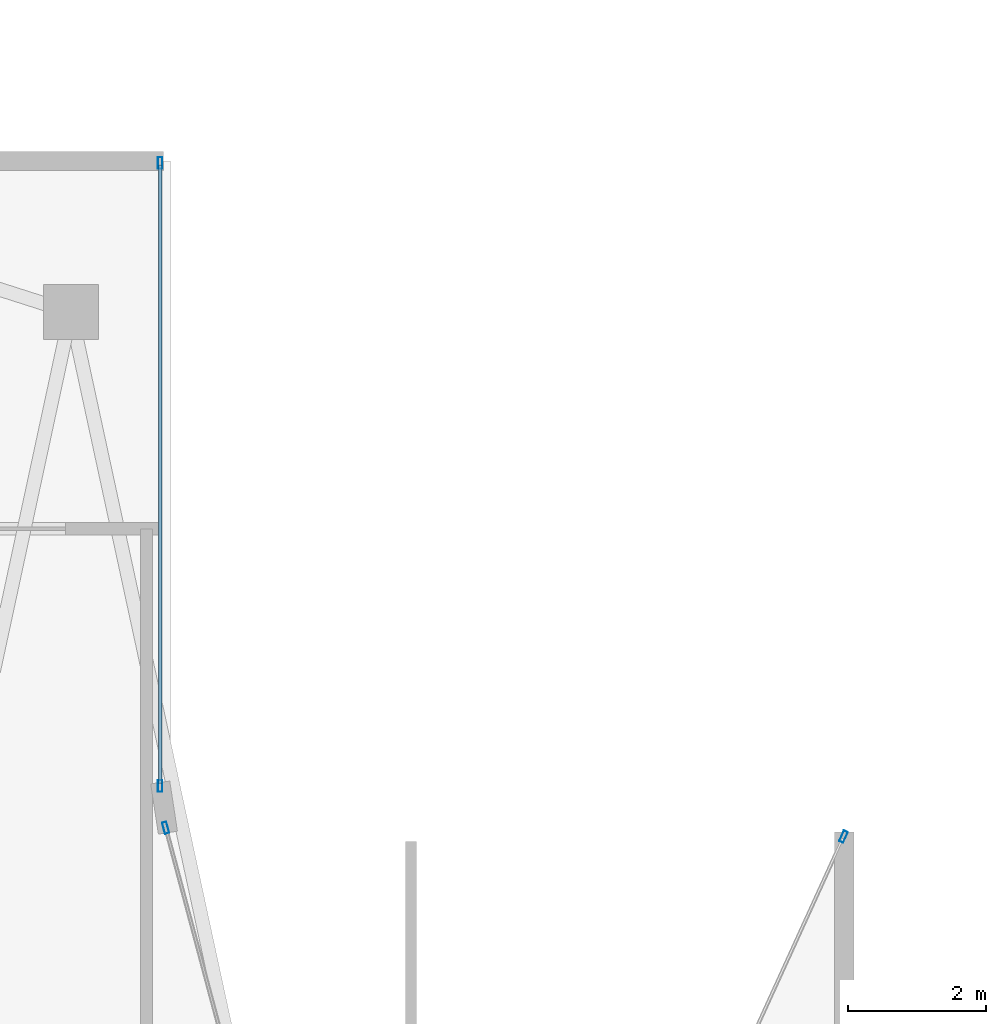
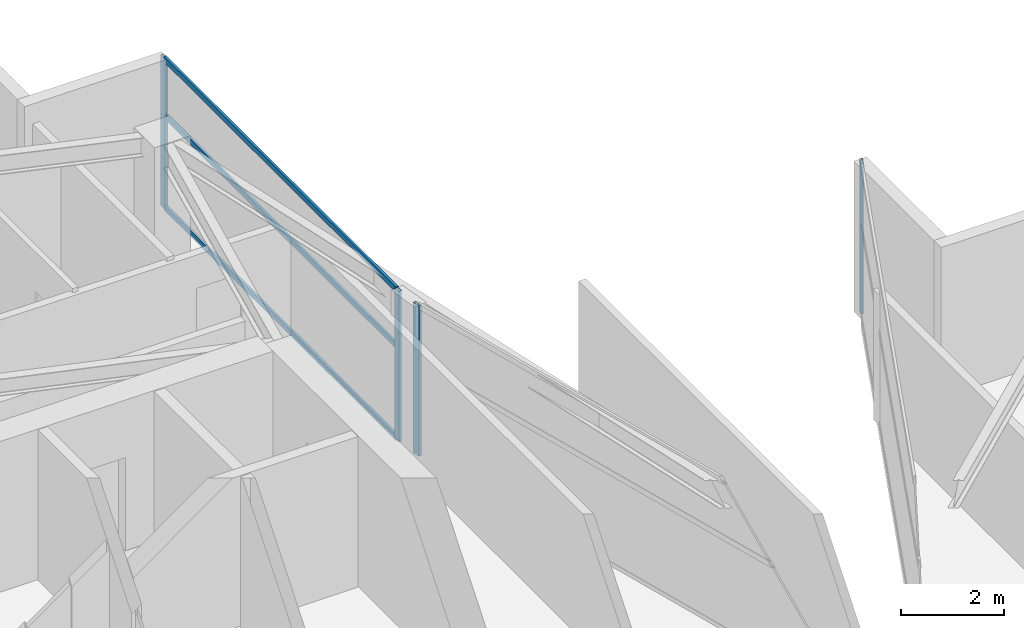
# One storey, part 19 of 27: 7 members, 3 elements without a shape of their own.
"""IFC4 building model written with IfcOpenShell, lengths in metres."""

from ifc_helpers import new_model, si_unit, direction, frame, origin, origin_2d, place, context, subcontext, project, spatial, hollow_rectangle, extrude, material, layer, layer_set, material_profile, profile_set, type_object, element, aggregate, save


model = new_model("IFC4")

# Units and contexts
model_context = context("Model", 3, precision=1e-05, world=origin(), true_north=direction((0.0, 1.0)))
body_context = subcontext(model_context, "Body", "Model", "MODEL_VIEW")
ifc_project = project(units=[si_unit("LENGTHUNIT", "METRE"), si_unit("AREAUNIT", "SQUARE_METRE"), si_unit("VOLUMEUNIT", "CUBIC_METRE"), si_unit("PLANEANGLEUNIT", "RADIAN"), si_unit("MASSUNIT", "GRAM", prefix="KILO")], contexts=[model_context])

# Site, building, storey
site_placement = place(None, origin())
site = spatial("IfcSite", under=ifc_project, at=site_placement, CompositionType="ELEMENT")
building_placement = place(site_placement, origin())
building = spatial("IfcBuilding", under=site, at=building_placement, Name="Calvorn Quay Hotel", CompositionType="ELEMENT")
storey_placement = place(building_placement, frame((0.0, 0.0, 287.300048828125)))
storey = spatial("IfcBuildingStorey", under=building, at=storey_placement, Name="L71", CompositionType="ELEMENT", Elevation=287.300048828125)

# Curtain wall, member
ifc_material_1 = material(Name="Champagne Bronze Anodised Aluminium and Low-E Glass", Category="aluminium")
ifc_layer = layer(ifc_material_1, 0.219970703125)
ifc_layer_set = layer_set([ifc_layer], Name="CW-SYS-Z4")
curtain_wall_type = type_object("IfcCurtainWallType", Name="CW-SYS-Z4", PredefinedType="NOTDEFINED", material=ifc_layer_set)
curtain_wall_1_placement = place(storey_placement, origin())
curtain_wall_1 = element("IfcCurtainWall", 1, at=curtain_wall_1_placement, inside=storey, type_object=curtain_wall_type, Name="Inner Court Curtain Wall L71-NE1", PredefinedType="NOTDEFINED")
ifc_material_2 = material(Name="Champagne Bronze Anodised Aluminium 6063-T6", Category="aluminium")
ifc_material_profile_1 = material_profile(ifc_material_2, hollow_rectangle(XDim=0.06494140625, YDim=0.169921875, WallThickness=0.00341796875, at=origin_2d()), Name="ALU-M170x65x3.5")
ifc_profile_set_1 = profile_set([ifc_material_profile_1], Name="Champagne Bronze Anodised Aluminium 6063-T6")
member_type_1 = type_object("IfcMemberType", Name="CW-SYS-Z4-MUL", PredefinedType="MULLION", material=ifc_profile_set_1)
member_1_placement = place(storey_placement, frame((27.78759765625, 37.97265625, 0.0), z_axis=(0.0, 0.0, 1.0), x_axis=(0.909907665981, -0.414810847724, 0.0)))
member_1 = element("IfcMember", 2, at=member_1_placement, type_object=member_type_1, Name="CW-L71-NE1 mullion 1", PredefinedType="MULLION", context=body_context, shape_type="SweptSolid", body=[
    extrude(hollow_rectangle(XDim=0.06494140625, YDim=0.169921875, WallThickness=0.00341796875, at=origin_2d()), origin(), (0.0, 0.0, 1.0), 3.56005859375),
])
aggregate(curtain_wall_1, [member_1])

curtain_wall_2_placement = place(storey_placement, origin())
curtain_wall_2 = element("IfcCurtainWall", 3, at=curtain_wall_2_placement, inside=storey, type_object=curtain_wall_type, Name="Inner Court Curtain Wall L71-IC1", PredefinedType="NOTDEFINED")
member_2_placement = place(storey_placement, frame((17.9296875, 38.10107421875, 0.0), z_axis=(0.0, 0.0, 1.0), x_axis=(-0.96593652056, -0.25877913024, 0.0)))
member_2 = element("IfcMember", 4, at=member_2_placement, type_object=member_type_1, Name="CW-L71-IC1 mullion 2", PredefinedType="MULLION", context=body_context, shape_type="SweptSolid", body=[
    extrude(hollow_rectangle(XDim=0.06494140625, YDim=0.169921875, WallThickness=0.00341796875, at=origin_2d()), origin(), (0.0, 0.0, 1.0), 3.56005859375),
])
aggregate(curtain_wall_2, [member_2])

# Curtain wall, members
curtain_wall_3_placement = place(storey_placement, origin())
curtain_wall_3 = element("IfcCurtainWall", 5, at=curtain_wall_3_placement, inside=storey, type_object=curtain_wall_type, Name="Inner Court Curtain Wall L71-IC2", PredefinedType="NOTDEFINED")
member_3_placement = place(storey_placement, frame((17.85009765625, 38.7099609375, 0.0), z_axis=(0.0, 0.0, 1.0), x_axis=(-1.0, 0.0, 0.0)))
member_3 = element("IfcMember", 6, at=member_3_placement, type_object=member_type_1, Name="CW-L71-IC2 mullion 1", PredefinedType="MULLION", context=body_context, shape_type="SweptSolid", body=[
    extrude(hollow_rectangle(XDim=0.06494140625, YDim=0.169921875, WallThickness=0.00341796875, at=origin_2d()), origin(), (0.0, 0.0, 1.0), 3.56005859375),
])
member_4_placement = place(storey_placement, frame((17.85009765625, 47.77001953125, 0.0), z_axis=(0.0, 0.0, 1.0), x_axis=(-1.0, 0.0, 0.0)))
member_4 = element("IfcMember", 7, at=member_4_placement, type_object=member_type_1, Name="CW-L71-IC2 mullion 2", PredefinedType="MULLION", context=body_context, shape_type="SweptSolid", body=[
    extrude(hollow_rectangle(XDim=0.06494140625, YDim=0.169921875, WallThickness=0.00341796875, at=origin_2d()), origin(), (0.0, 0.0, 1.0), 3.56005859375),
])
ifc_material_3 = material(Name="Champagne Bronze Anodised Aluminium 6063-T6", Category="aluminium")
ifc_material_profile_2 = material_profile(ifc_material_3, hollow_rectangle(XDim=0.054931640625, YDim=0.1298828125, WallThickness=0.003173828125, at=origin_2d()), Name="ALU-T130x55x3.2")
ifc_profile_set_2 = profile_set([ifc_material_profile_2], Name="Champagne Bronze Anodised Aluminium 6063-T6")
member_type_2 = type_object("IfcMemberType", Name="CW-SYS-Z4-TRN", PredefinedType="USERDEFINED", material=ifc_profile_set_2)
member_5_placement = place(storey_placement, frame((17.85009765625, 38.739990234375, 0.030029296875), z_axis=(0.0, 1.0, 0.0), x_axis=(-1.0, 0.0, 0.0)))
member_5 = element("IfcMember", 8, at=member_5_placement, type_object=member_type_2, Name="CW-L71-IC2 transom 1.1", ObjectType="TRANSOM", PredefinedType="USERDEFINED", context=body_context, shape_type="SweptSolid", body=[
    extrude(hollow_rectangle(XDim=0.054931640625, YDim=0.1298828125, WallThickness=0.003173828125, at=origin_2d()), origin(), (0.0, 0.0, 1.0), 9.0),
])
member_6_placement = place(storey_placement, frame((17.85009765625, 38.739990234375, 2.199951171875), z_axis=(0.0, 1.0, 0.0), x_axis=(-1.0, 0.0, 0.0)))
member_6 = element("IfcMember", 9, at=member_6_placement, type_object=member_type_2, Name="CW-L71-IC2 transom 1.2", ObjectType="TRANSOM", PredefinedType="USERDEFINED", context=body_context, shape_type="SweptSolid", body=[
    extrude(hollow_rectangle(XDim=0.054931640625, YDim=0.1298828125, WallThickness=0.003173828125, at=origin_2d()), origin(), (0.0, 0.0, 1.0), 9.0),
])
member_7_placement = place(storey_placement, frame((17.85009765625, 38.739990234375, 3.530029296875), z_axis=(0.0, 1.0, 0.0), x_axis=(-1.0, 0.0, 0.0)))
member_7 = element("IfcMember", 10, at=member_7_placement, type_object=member_type_2, Name="CW-L71-IC2 transom 1.3", ObjectType="TRANSOM", PredefinedType="USERDEFINED", context=body_context, shape_type="SweptSolid", body=[
    extrude(hollow_rectangle(XDim=0.054931640625, YDim=0.1298828125, WallThickness=0.003173828125, at=origin_2d()), origin(), (0.0, 0.0, 1.0), 9.0),
])
aggregate(curtain_wall_3, [member_3, member_4, member_5, member_6, member_7])

save(model, "model.ifc")
